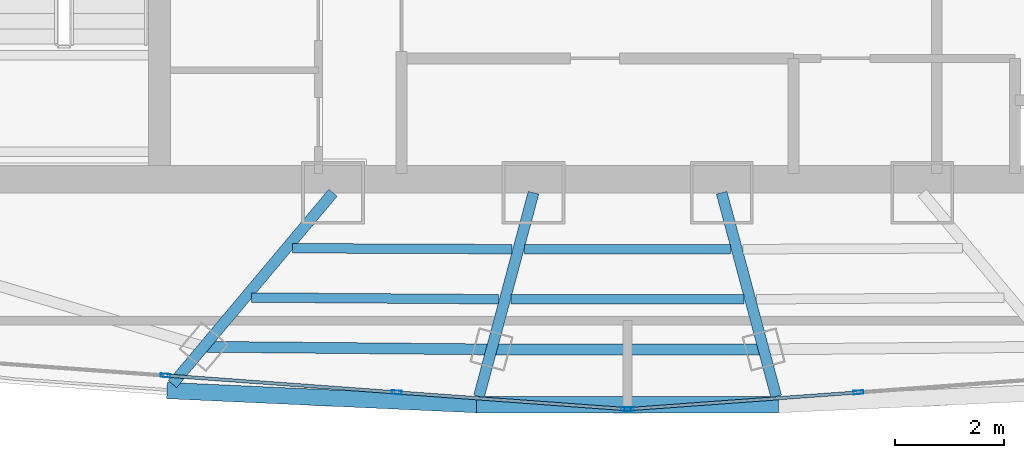
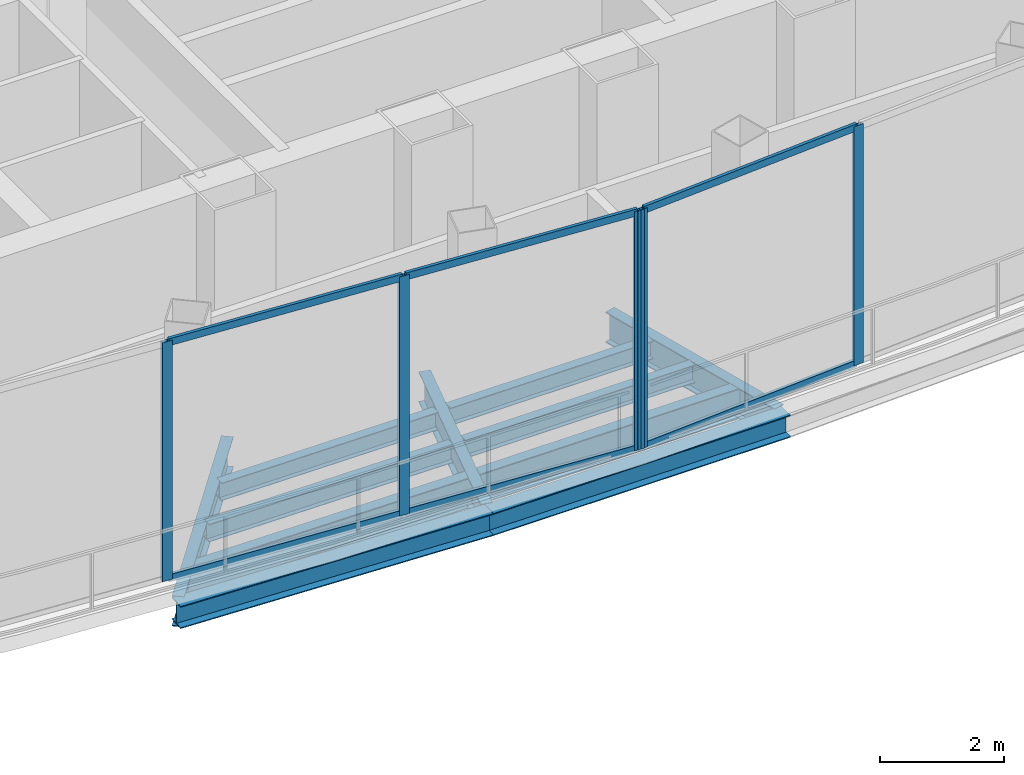
# One storey, part 8 of 33: 11 beams, 11 members, 2 elements without a shape of their own.
"""IFC4 building model written with IfcOpenShell, lengths in metres."""

from ifc_helpers import new_model, si_unit, direction, frame, origin, origin_2d, place, context, subcontext, project, spatial, hollow_rectangle, i_section, extrude, source, transform, mapped, material, layer, layer_set, material_profile, profile_set, type_object, element, aggregate, save


model = new_model("IFC4")

# Units and contexts
model_context = context("Model", 3, precision=1e-05, world=origin(), true_north=direction((0.0, 1.0)))
body_context = subcontext(model_context, "Body", "Model", "MODEL_VIEW")
ifc_project = project(units=[si_unit("LENGTHUNIT", "METRE"), si_unit("AREAUNIT", "SQUARE_METRE"), si_unit("VOLUMEUNIT", "CUBIC_METRE"), si_unit("PLANEANGLEUNIT", "RADIAN"), si_unit("MASSUNIT", "GRAM", prefix="KILO"), si_unit("THERMODYNAMICTEMPERATUREUNIT", "KELVIN"), si_unit("POWERUNIT", "WATT")], contexts=[model_context])

# Site, building, storey
site_placement = place(None, origin())
site = spatial("IfcSite", under=ifc_project, at=site_placement, CompositionType="ELEMENT")
building_placement = place(site_placement, origin())
building = spatial("IfcBuilding", under=site, at=building_placement, Name="Yunzhuo Pagoda Commons", CompositionType="ELEMENT")
storey_placement = place(building_placement, frame((0.0, 0.0, 391.760009765625)))
storey = spatial("IfcBuildingStorey", under=building, at=storey_placement, Name="L97", CompositionType="ELEMENT", Elevation=391.760009765625)

# Beams
ifc_material_1 = material(Name="Structural steel Q355B", Category="steel")
ifc_material_profile_1 = material_profile(ifc_material_1, i_section(OverallWidth=0.199951171875, OverallDepth=0.60009765625, WebThickness=0.010986328125, FlangeThickness=0.01708984375, at=origin_2d()), Name="Structural steel Q355B")
ifc_profile_set_1 = profile_set([ifc_material_profile_1], Name="Structural steel Q355B")
beam_type_1 = type_object("IfcBeamType", Name="B-RG3 Beam HN 600x200x11x17", PredefinedType="BEAM", material=ifc_profile_set_1)
shared_shape_1 = source(origin(), body_context, "Body", "SweptSolid", [
    extrude(i_section(OverallWidth=0.199951171875, OverallDepth=0.60009765625, WebThickness=0.010986328125, FlangeThickness=0.01708984375, at=origin_2d()), origin(), (0.0, 0.0, 1.0), 5.286376953125),
])
beam_1_placement = place(storey_placement, frame((40.214599609375, 24.421630859375, -0.580078125), z_axis=(0.999957341442, -0.009236627946, 0.0), x_axis=(0.009236627946, 0.999957341442, 0.0)))
element("IfcBeam", 1, at=beam_1_placement, inside=storey, type_object=beam_type_1, Name="L97 column-ring beam 1", PredefinedType="BEAM", context=body_context, shape_type="MappedRepresentation", body=[
    mapped(shared_shape_1, transform((0.0, 0.0, 0.0), scale=1.0)),
])
shared_shape_2 = source(origin(), body_context, "Body", "SweptSolid", [
    extrude(i_section(OverallWidth=0.199951171875, OverallDepth=0.60009765625, WebThickness=0.010986328125, FlangeThickness=0.01708984375, at=origin_2d()), origin(), (0.0, 0.0, 1.0), 4.99853515625),
])
beam_2_placement = place(storey_placement, frame((45.500732421875, 24.372802734375, -0.580078125), z_axis=(1.0, 0.0, 0.0), x_axis=(0.0, 1.0, 0.0)))
element("IfcBeam", 2, at=beam_2_placement, inside=storey, type_object=beam_type_1, Name="L97 column-ring beam 2", PredefinedType="BEAM", context=body_context, shape_type="MappedRepresentation", body=[
    mapped(shared_shape_2, transform((0.0, 0.0, 0.0), scale=1.0)),
])
ifc_material_profile_2 = material_profile(ifc_material_1, i_section(OverallWidth=0.175048828125, OverallDepth=0.35009765625, WebThickness=0.007080078125, FlangeThickness=0.010986328125, at=origin_2d()), Name="Structural steel Q355B")
ifc_profile_set_2 = profile_set([ifc_material_profile_2], Name="Structural steel Q355B")
beam_type_2 = type_object("IfcBeamType", Name="B-JS2 Joist HN 350x175x7x11", PredefinedType="JOIST", material=ifc_profile_set_2)
shared_shape_3 = source(origin(), body_context, "Body", "SweptSolid", [
    extrude(i_section(OverallWidth=0.175048828125, OverallDepth=0.35009765625, WebThickness=0.007080078125, FlangeThickness=0.010986328125, at=origin_2d()), origin(), (0.0, 0.0, 1.0), 4.03076171875),
])
beam_3_placement = place(storey_placement, frame((41.848388671875, 26.231201171875, -0.455078125), z_axis=(0.999991518197, -0.004118680996, 0.0), x_axis=(0.004118680996, 0.999991518197, 0.0)))
element("IfcBeam", 3, at=beam_3_placement, inside=storey, type_object=beam_type_2, Name="L97 composite ring joist 1.1", PredefinedType="JOIST", context=body_context, shape_type="MappedRepresentation", body=[
    mapped(shared_shape_3, transform((0.0, 0.0, 0.0), scale=1.0)),
])
shared_shape_4 = source(origin(), body_context, "Body", "SweptSolid", [
    extrude(i_section(OverallWidth=0.175048828125, OverallDepth=0.35009765625, WebThickness=0.007080078125, FlangeThickness=0.010986328125, at=origin_2d()), origin(), (0.0, 0.0, 1.0), 4.54345703125),
])
beam_4_placement = place(storey_placement, frame((41.089111328125, 25.325927734375, -0.455078125), z_axis=(0.999975976237, -0.006931590593, 0.0), x_axis=(0.006931590593, 0.999975976237, 0.0)))
element("IfcBeam", 4, at=beam_4_placement, inside=storey, type_object=beam_type_2, Name="L97 composite ring joist 2.1", PredefinedType="JOIST", context=body_context, shape_type="MappedRepresentation", body=[
    mapped(shared_shape_4, transform((0.0, 0.0, 0.0), scale=1.0)),
])
shared_shape_5 = source(origin(), body_context, "Body", "SweptSolid", [
    extrude(i_section(OverallWidth=0.175048828125, OverallDepth=0.35009765625, WebThickness=0.007080078125, FlangeThickness=0.010986328125, at=origin_2d()), origin(), (0.0, 0.0, 1.0), 3.78173828125),
])
beam_5_placement = place(storey_placement, frame((46.109130859375, 26.214111328125, -0.455078125), z_axis=(1.0, 0.0, 0.0), x_axis=(0.0, 1.0, 0.0)))
element("IfcBeam", 5, at=beam_5_placement, inside=storey, type_object=beam_type_2, Name="L97 composite ring joist 1.2", PredefinedType="JOIST", context=body_context, shape_type="MappedRepresentation", body=[
    mapped(shared_shape_5, transform((0.0, 0.0, 0.0), scale=1.0)),
])
shared_shape_6 = source(origin(), body_context, "Body", "SweptSolid", [
    extrude(i_section(OverallWidth=0.175048828125, OverallDepth=0.35009765625, WebThickness=0.007080078125, FlangeThickness=0.010986328125, at=origin_2d()), origin(), (0.0, 0.0, 1.0), 4.27490234375),
])
beam_6_placement = place(storey_placement, frame((45.862548828125, 25.29345703125, -0.455078125), z_axis=(1.0, 0.0, 0.0), x_axis=(0.0, 1.0, 0.0)))
element("IfcBeam", 6, at=beam_6_placement, inside=storey, type_object=beam_type_2, Name="L97 composite ring joist 2.2", PredefinedType="JOIST", context=body_context, shape_type="MappedRepresentation", body=[
    mapped(shared_shape_6, transform((0.0, 0.0, 0.0), scale=1.0)),
])
shared_shape_7 = source(origin(), body_context, "Body", "SweptSolid", [
    extrude(i_section(OverallWidth=0.199951171875, OverallDepth=0.60009765625, WebThickness=0.010986328125, FlangeThickness=0.01708984375, at=origin_2d()), origin(), (0.0, 0.0, 1.0), 4.587158203125),
])
beam_7_placement = place(storey_placement, frame((39.639404296875, 23.736083984375, -0.580078125), z_axis=(0.642782581433, 0.766048662297, 0.0), x_axis=(-0.766048662297, 0.642782581433, 0.0)))
element("IfcBeam", 7, at=beam_7_placement, inside=storey, type_object=beam_type_1, Name="L97 radial floor girder F1C1", PredefinedType="BEAM", context=body_context, shape_type="MappedRepresentation", body=[
    mapped(shared_shape_7, transform((0.0, 0.0, 0.0), scale=1.0)),
])
shared_shape_8 = source(origin(), body_context, "Body", "SweptSolid", [
    extrude(i_section(OverallWidth=0.199951171875, OverallDepth=0.60009765625, WebThickness=0.010986328125, FlangeThickness=0.01708984375, at=origin_2d()), origin(), (0.0, 0.0, 1.0), 3.873779296875),
])
beam_8_placement = place(storey_placement, frame((45.269287109375, 23.50830078125, -0.580078125), z_axis=(0.258843194056, 0.965919355273, 0.0), x_axis=(-0.965919355273, 0.258843194056, 0.0)))
element("IfcBeam", 8, at=beam_8_placement, inside=storey, type_object=beam_type_1, Name="L97 radial floor girder F1C2", PredefinedType="BEAM", context=body_context, shape_type="MappedRepresentation", body=[
    mapped(shared_shape_8, transform((0.0, 0.0, 0.0), scale=1.0)),
])
shared_shape_9 = source(origin(), body_context, "Body", "SweptSolid", [
    extrude(i_section(OverallWidth=0.199951171875, OverallDepth=0.60009765625, WebThickness=0.010986328125, FlangeThickness=0.01708984375, at=origin_2d()), origin(), (0.0, 0.0, 1.0), 3.87353515625),
])
beam_9_placement = place(storey_placement, frame((50.730712890625, 23.50830078125, -0.580078125), z_axis=(-0.258725583844, 0.965950864312, 0.0), x_axis=(-0.965950864312, -0.258725583844, 0.0)))
element("IfcBeam", 9, at=beam_9_placement, inside=storey, type_object=beam_type_1, Name="L97 radial floor girder F1C3", PredefinedType="BEAM", context=body_context, shape_type="MappedRepresentation", body=[
    mapped(shared_shape_9, transform((0.0, 0.0, 0.0), scale=1.0)),
])
ifc_material_profile_3 = material_profile(ifc_material_1, i_section(OverallWidth=0.300048828125, OverallDepth=0.43994140625, WebThickness=0.010986328125, FlangeThickness=0.01806640625, at=origin_2d()), Name="Structural steel Q355B")
ifc_profile_set_3 = profile_set([ifc_material_profile_3], Name="Structural steel Q355B")
beam_type_3 = type_object("IfcBeamType", Name="B-SP2 Beam HM 440x300x11x18", PredefinedType="BEAM", material=ifc_profile_set_3)
shared_shape_10 = source(origin(), body_context, "Body", "SweptSolid", [
    extrude(i_section(OverallWidth=0.300048828125, OverallDepth=0.43994140625, WebThickness=0.010986328125, FlangeThickness=0.01806640625, at=origin_2d()), origin(), (0.0, 0.0, 1.0), 5.6953125),
])
beam_10_placement = place(storey_placement, frame((39.53955078125, 23.617431640625, -0.5), z_axis=(0.998967125564, -0.045438772447, 0.0), x_axis=(0.045438772447, 0.998967125564, 0.0)))
element("IfcBeam", 10, at=beam_10_placement, inside=storey, type_object=beam_type_3, Name="L97 facade edge spandrel beam F1.1", PredefinedType="BEAM", context=body_context, shape_type="MappedRepresentation", body=[
    mapped(shared_shape_10, transform((0.0, 0.0, 0.0), scale=1.0)),
])
shared_shape_11 = source(origin(), body_context, "Body", "SweptSolid", [
    extrude(i_section(OverallWidth=0.300048828125, OverallDepth=0.43994140625, WebThickness=0.010986328125, FlangeThickness=0.01806640625, at=origin_2d()), origin(), (0.0, 0.0, 1.0), 5.5419921875),
])
beam_11_placement = place(storey_placement, frame((45.22900390625, 23.358642578125, -0.5), z_axis=(1.0, 0.0, 0.0), x_axis=(0.0, 1.0, 0.0)))
element("IfcBeam", 11, at=beam_11_placement, inside=storey, type_object=beam_type_3, Name="L97 facade edge spandrel beam F1.2", PredefinedType="BEAM", context=body_context, shape_type="MappedRepresentation", body=[
    mapped(shared_shape_11, transform((0.0, 0.0, 0.0), scale=1.0)),
])

# Curtain wall, members
ifc_material_2 = material(Name="Anodized aluminium 6063-T6", Category="aluminium")
ifc_layer = layer(ifc_material_2, 0.179931640625)
ifc_layer_set = layer_set([ifc_layer], Name="Anodized aluminium 6063-T6")
curtain_wall_type = type_object("IfcCurtainWallType", Name="CW-CRN Crown Gable Glazing System", PredefinedType="NOTDEFINED", material=ifc_layer_set)
curtain_wall_1_placement = place(storey_placement, origin())
curtain_wall_1 = element("IfcCurtainWall", 12, at=curtain_wall_1_placement, inside=storey, type_object=curtain_wall_type, Name="L97 curtain wall CW-L97-CRNF1G1", PredefinedType="NOTDEFINED")
ifc_material_profile_4 = material_profile(ifc_material_2, hollow_rectangle(XDim=0.06494140625, YDim=0.179931640625, WallThickness=0.00390625, at=origin_2d()), Name="Anodized aluminium 6063-T6")
ifc_profile_set_4 = profile_set([ifc_material_profile_4], Name="Anodized aluminium 6063-T6")
member_type_1 = type_object("IfcMemberType", Name="CW-CRN-M Mullion RHS 180x65x4", PredefinedType="MULLION", material=ifc_profile_set_4)
shared_shape_12 = source(origin(), body_context, "Body", "SweptSolid", [
    extrude(hollow_rectangle(XDim=0.06494140625, YDim=0.179931640625, WallThickness=0.00390625, at=origin_2d()), origin(), (0.0, 0.0, 1.0), 4.72021484375),
])
member_1_placement = place(storey_placement, frame((39.513427734375, 23.8935546875, 0.0), z_axis=(0.0, 0.0, 1.0), x_axis=(0.072795570763, 0.997346882924, 0.0)))
member_1 = element("IfcMember", 13, at=member_1_placement, type_object=member_type_1, Name="CW mullion 3", PredefinedType="MULLION", context=body_context, shape_type="MappedRepresentation", body=[
    mapped(shared_shape_12, transform((0.0, 0.0, 0.0), scale=1.0)),
])
member_2_placement = place(storey_placement, frame((43.759765625, 23.583740234375, 0.0), z_axis=(0.0, 0.0, 1.0), x_axis=(0.072795570763, 0.997346882924, 0.0)))
member_2 = element("IfcMember", 14, at=member_2_placement, type_object=member_type_1, Name="CW mullion 4", PredefinedType="MULLION", context=body_context, shape_type="MappedRepresentation", body=[
    mapped(shared_shape_12, transform((0.0, 0.0, 0.0), scale=1.0)),
])
member_3_placement = place(storey_placement, frame((47.973388671875, 23.276123046875, 0.0), z_axis=(0.0, 0.0, 1.0), x_axis=(0.072795570763, 0.997346882924, 0.0)))
member_3 = element("IfcMember", 15, at=member_3_placement, type_object=member_type_1, Name="CW mullion 5", PredefinedType="MULLION", context=body_context, shape_type="MappedRepresentation", body=[
    mapped(shared_shape_12, transform((0.0, 0.0, 0.0), scale=1.0)),
])

curtain_wall_2_placement = place(storey_placement, origin())
curtain_wall_2 = element("IfcCurtainWall", 16, at=curtain_wall_2_placement, inside=storey, type_object=curtain_wall_type, Name="L97 curtain wall CW-L97-CRNF1G2", PredefinedType="NOTDEFINED")
member_4_placement = place(storey_placement, frame((48.026611328125, 23.276123046875, 0.0), z_axis=(0.0, 0.0, 1.0), x_axis=(-0.072795997095, 0.997346851806, 0.0)))
member_4 = element("IfcMember", 17, at=member_4_placement, type_object=member_type_1, Name="CW mullion 1", PredefinedType="MULLION", context=body_context, shape_type="MappedRepresentation", body=[
    mapped(shared_shape_12, transform((0.0, 0.0, 0.0), scale=1.0)),
])
member_5_placement = place(storey_placement, frame((52.240234375, 23.583740234375, 0.0), z_axis=(0.0, 0.0, 1.0), x_axis=(-0.072795997095, 0.997346851806, 0.0)))
member_5 = element("IfcMember", 18, at=member_5_placement, type_object=member_type_1, Name="CW mullion 2", PredefinedType="MULLION", context=body_context, shape_type="MappedRepresentation", body=[
    mapped(shared_shape_12, transform((0.0, 0.0, 0.0), scale=1.0)),
])

# Member
ifc_material_profile_5 = material_profile(ifc_material_2, hollow_rectangle(XDim=0.06005859375, YDim=0.139892578125, WallThickness=0.00341796875, at=origin_2d()), Name="Anodized aluminium 6063-T6")
ifc_profile_set_5 = profile_set([ifc_material_profile_5], Name="Anodized aluminium 6063-T6")
member_type_2 = type_object("IfcMemberType", Name="CW-CRN-T Transom RHS 140x60x3.5", PredefinedType="USERDEFINED", material=ifc_profile_set_5)
shared_shape_13 = source(origin(), body_context, "Body", "SweptSolid", [
    extrude(hollow_rectangle(XDim=0.06005859375, YDim=0.139892578125, WallThickness=0.00341796875, at=origin_2d()), origin(), (0.0, 0.0, 1.0), 4.192626953125),
])
member_6_placement = place(storey_placement, frame((39.5458984375, 23.891357421875, 0.030029296875), z_axis=(0.99734724805, -0.072790568113, 0.0), x_axis=(0.072790568113, 0.99734724805, 0.0)))
member_6 = element("IfcMember", 19, at=member_6_placement, type_object=member_type_2, Name="CW transom 3.1", ObjectType="TRANSOM", PredefinedType="USERDEFINED", context=body_context, shape_type="MappedRepresentation", body=[
    mapped(shared_shape_13, transform((0.0, 0.0, 0.0), scale=1.0)),
])

member_7_placement = place(storey_placement, frame((39.5458984375, 23.891357421875, 4.68994140625), z_axis=(0.99734724805, -0.072790568113, 0.0), x_axis=(0.072790568113, 0.99734724805, 0.0)))
member_7 = element("IfcMember", 20, at=member_7_placement, type_object=member_type_2, Name="CW transom 3.2", ObjectType="TRANSOM", PredefinedType="USERDEFINED", context=body_context, shape_type="MappedRepresentation", body=[
    mapped(shared_shape_13, transform((0.0, 0.0, 0.0), scale=1.0)),
])

shared_shape_14 = source(origin(), body_context, "Body", "SweptSolid", [
    extrude(hollow_rectangle(XDim=0.06005859375, YDim=0.139892578125, WallThickness=0.00341796875, at=origin_2d()), origin(), (0.0, 0.0, 1.0), 4.159912109375),
])
member_8_placement = place(storey_placement, frame((43.7919921875, 23.581298828125, 0.030029296875), z_axis=(0.997352754644, -0.072715079617, 0.0), x_axis=(0.072715079617, 0.997352754644, 0.0)))
member_8 = element("IfcMember", 21, at=member_8_placement, type_object=member_type_2, Name="CW transom 4.1", ObjectType="TRANSOM", PredefinedType="USERDEFINED", context=body_context, shape_type="MappedRepresentation", body=[
    mapped(shared_shape_14, transform((0.0, 0.0, 0.0), scale=1.0)),
])

member_9_placement = place(storey_placement, frame((43.7919921875, 23.581298828125, 4.68994140625), z_axis=(0.997352754644, -0.072715079617, 0.0), x_axis=(0.072715079617, 0.997352754644, 0.0)))
member_9 = element("IfcMember", 22, at=member_9_placement, type_object=member_type_2, Name="CW transom 4.2", ObjectType="TRANSOM", PredefinedType="USERDEFINED", context=body_context, shape_type="MappedRepresentation", body=[
    mapped(shared_shape_14, transform((0.0, 0.0, 0.0), scale=1.0)),
])

aggregate(curtain_wall_1, [member_1, member_2, member_3, member_6, member_7, member_8, member_9])

member_10_placement = place(storey_placement, frame((48.05908203125, 23.27880859375, 0.030029296875), z_axis=(0.997352754644, 0.072715079617, 0.0), x_axis=(-0.072715079617, 0.997352754644, 0.0)))
member_10 = element("IfcMember", 23, at=member_10_placement, type_object=member_type_2, Name="CW transom 1.1", ObjectType="TRANSOM", PredefinedType="USERDEFINED", context=body_context, shape_type="MappedRepresentation", body=[
    mapped(shared_shape_14, transform((0.0, 0.0, 0.0), scale=1.0)),
])

member_11_placement = place(storey_placement, frame((48.05908203125, 23.27880859375, 4.68994140625), z_axis=(0.997352754644, 0.072715079617, 0.0), x_axis=(-0.072715079617, 0.997352754644, 0.0)))
member_11 = element("IfcMember", 24, at=member_11_placement, type_object=member_type_2, Name="CW transom 1.2", ObjectType="TRANSOM", PredefinedType="USERDEFINED", context=body_context, shape_type="MappedRepresentation", body=[
    mapped(shared_shape_14, transform((0.0, 0.0, 0.0), scale=1.0)),
])

aggregate(curtain_wall_2, [member_4, member_5, member_10, member_11])

save(model, "model.ifc")
